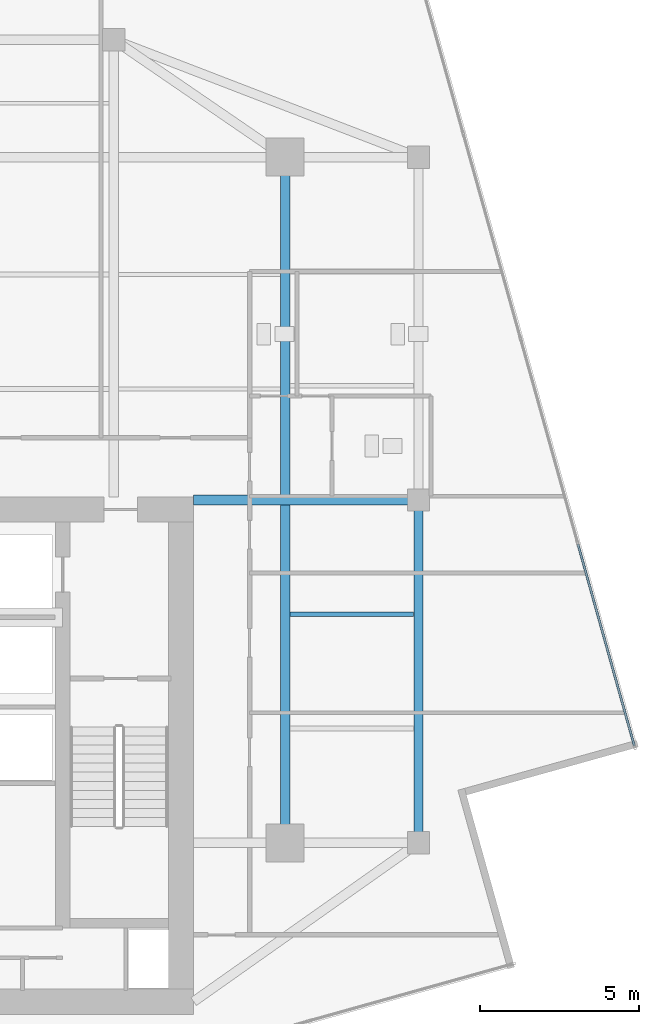
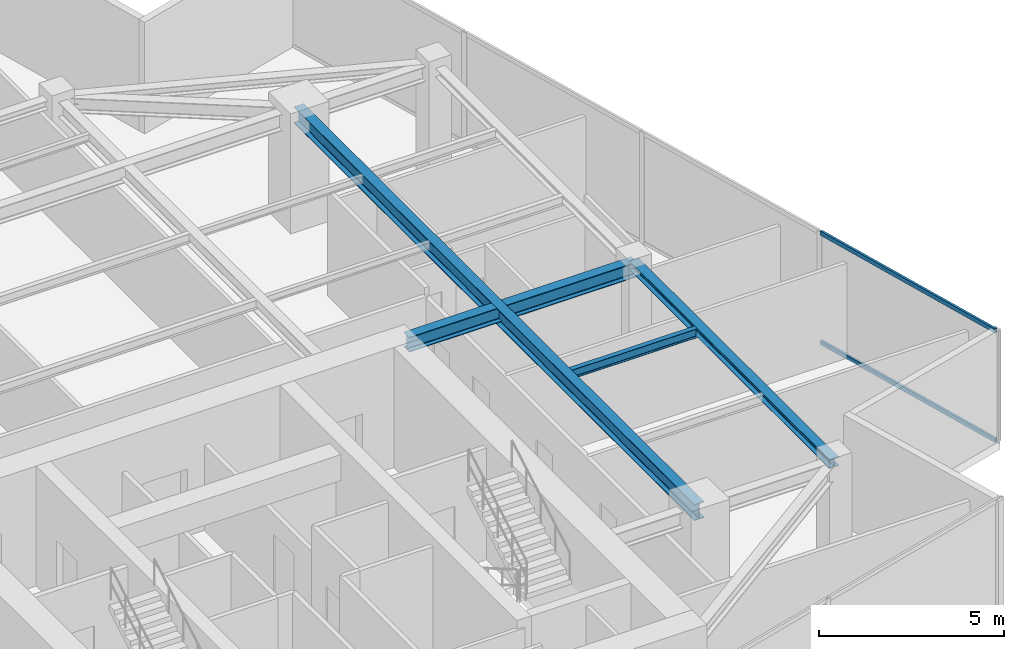
# One storey, part 10 of 21: 4 beams, 2 members, 1 element without a shape of its own.
"""IFC4 building model written with IfcOpenShell, lengths in metres."""

import ifcopenshell
import ifcopenshell.guid

model = None  # the IFC model being written
_history = None  # IfcOwnerHistory: only IFC2X3 demands one
_inside = {}  # id of a spatial element -> (the spatial element, [elements in it])
_under = {}  # id of a project, library or spatial element -> (it, [spatial elements below it])
_declared = {}  # id of a project -> (the project, [libraries it declares])
_typed = {}  # id of a type object -> (the type object, [elements of that type])
_made_of = {}  # id of a material, layer set ... -> (it, [elements and type objects made of it])


def new_model(schema):
    """Start an empty IFC model of exactly this schema.

    Asked for "IFC4X3", IfcOpenShell would pick the latest addendum, in which some entities
    have other attributes; the version numbers below select the first issue.
    IFC2X3 requires an IfcOwnerHistory on every rooted entity: one is made here for all.
    """
    global model, _history
    if schema == "IFC4X3":
        model = ifcopenshell.file(schema_version=(4, 3, 0, 0))
    else:
        model = ifcopenshell.file(schema=schema)
    _inside.clear()
    _under.clear()
    _declared.clear()
    _typed.clear()
    _made_of.clear()
    _history = None
    if model.schema == "IFC2X3":
        org = make("IfcOrganization", Name="unknown")
        user = make(
            "IfcPersonAndOrganization",
            ThePerson=make("IfcPerson", FamilyName="unknown"),
            TheOrganization=org,
        )
        app = make(
            "IfcApplication",
            ApplicationDeveloper=org,
            Version="unknown",
            ApplicationFullName="unknown",
            ApplicationIdentifier="unknown",
        )
        _history = make(
            "IfcOwnerHistory",
            OwningUser=user,
            OwningApplication=app,
            ChangeAction="ADDED",
            CreationDate=0,
        )
    return model


def make(cls, **values):
    """One entity of the class cls with the attributes given. An attribute that is None is left unset."""
    return model.create_entity(
        cls, **{name: value for name, value in values.items() if value is not None}
    )


def rooted(cls, **values):
    """An entity with a GlobalId (a new one), such as an element, a storey or a relation."""
    return make(cls, GlobalId=ifcopenshell.guid.new(), OwnerHistory=_history, **values)


def si_unit(unit_type, name, prefix=None):
    """IfcSIUnit, for example si_unit("LENGTHUNIT", "METRE", prefix="MILLI")."""
    return make("IfcSIUnit", UnitType=unit_type, Prefix=prefix, Name=name)


def assignment(units):
    """IfcUnitAssignment: the units of a project."""
    return None if units is None else make("IfcUnitAssignment", Units=units)


def point(xyz):
    """IfcCartesianPoint."""
    return None if xyz is None else make("IfcCartesianPoint", Coordinates=xyz)


def direction(xyz):
    """IfcDirection."""
    return None if xyz is None else make("IfcDirection", DirectionRatios=xyz)


def frame(location, z_axis=None, x_axis=None):
    """IfcAxis2Placement3D, a coordinate frame: its origin and axes. An axis left out is left unset."""
    return make(
        "IfcAxis2Placement3D",
        Location=point(location),
        Axis=direction(z_axis),
        RefDirection=direction(x_axis),
    )


def frame_2d(location, x_axis=None):
    """IfcAxis2Placement2D, a coordinate frame in the plane: its origin and x axis."""
    return make(
        "IfcAxis2Placement2D", Location=point(location), RefDirection=direction(x_axis)
    )


def origin():
    """The frame at (0, 0, 0) with its axes left unset."""
    return frame((0.0, 0.0, 0.0))


def origin_2d():
    """The frame at (0, 0) in the plane with its x axis left unset."""
    return frame_2d((0.0, 0.0))


def place(relative_to, where):
    """IfcLocalPlacement: puts the frame where relative to a parent placement (None: the world)."""
    return make(
        "IfcLocalPlacement", PlacementRelTo=relative_to, RelativePlacement=where
    )


def context(
    kind, dimensions, precision=None, world=None, true_north=None, identifier=None
):
    """IfcGeometricRepresentationContext, for example the 3D "Model" context."""
    return make(
        "IfcGeometricRepresentationContext",
        ContextIdentifier=identifier,
        ContextType=kind,
        CoordinateSpaceDimension=dimensions,
        Precision=precision,
        WorldCoordinateSystem=world,
        TrueNorth=true_north,
    )


def subcontext(parent, identifier, kind, view, scale=None):
    """IfcGeometricRepresentationSubContext, for example "Body" below "Model"."""
    return make(
        "IfcGeometricRepresentationSubContext",
        ContextIdentifier=identifier,
        ContextType=kind,
        ParentContext=parent,
        TargetScale=scale,
        TargetView=view,
    )


def project(units=None, contexts=None):
    """IfcProject with its units and contexts."""
    return rooted(
        "IfcProject",
        Name="project",
        RepresentationContexts=contexts,
        UnitsInContext=assignment(units),
    )


def spatial(cls, under=None, at=None, **own):
    """A site, building, storey or space (cls), placed at a placement, below another one or the project."""
    s = rooted(cls, ObjectPlacement=at, **own)
    if under is not None:
        _under.setdefault(under.id(), (under, []))[1].append(s)
    return s


def profile(cls, at=None, kind="AREA", **sizes):
    """A parametric profile (cls). Its sizes go by their IFC names, for example OverallWidth=200.0."""
    return make(cls, ProfileType=kind, Position=at, **sizes)


def hollow_rectangle(**sizes):
    """IfcRectangleHollowProfileDef."""
    return profile("IfcRectangleHollowProfileDef", **sizes)


def i_section(**sizes):
    """IfcIShapeProfileDef."""
    return profile("IfcIShapeProfileDef", **sizes)


def extrude(swept, where, along, depth):
    """IfcExtrudedAreaSolid: the profile swept, set in the frame where, extruded along a direction by depth."""
    return make(
        "IfcExtrudedAreaSolid",
        SweptArea=swept,
        Position=where,
        ExtrudedDirection=direction(along),
        Depth=depth,
    )


def shape(context_of_items, identifier, shape_type, items):
    """IfcShapeRepresentation: the items that make up one representation, for example the "Body"."""
    return make(
        "IfcShapeRepresentation",
        ContextOfItems=context_of_items,
        RepresentationIdentifier=identifier,
        RepresentationType=shape_type,
        Items=items,
    )


def source(mapping_origin, context_of_items, identifier, shape_type, items):
    """IfcRepresentationMap: a shape defined once, which mapped items show again and again."""
    return make(
        "IfcRepresentationMap",
        MappingOrigin=mapping_origin,
        MappedRepresentation=shape(context_of_items, identifier, shape_type, items),
    )


def transform(
    local_origin,
    x_axis=None,
    y_axis=None,
    z_axis=None,
    scale=None,
    scale2=None,
    scale3=None,
    uniform=True,
):
    """IfcCartesianTransformationOperator3D, or its non-uniform kind. x_axis, y_axis, z_axis: its Axis1, 2, 3."""
    if uniform:
        return make(
            "IfcCartesianTransformationOperator3D",
            Axis1=direction(x_axis),
            Axis2=direction(y_axis),
            LocalOrigin=point(local_origin),
            Scale=scale,
            Axis3=direction(z_axis),
        )
    return make(
        "IfcCartesianTransformationOperator3DnonUniform",
        Axis1=direction(x_axis),
        Axis2=direction(y_axis),
        LocalOrigin=point(local_origin),
        Scale=scale,
        Axis3=direction(z_axis),
        Scale2=scale2,
        Scale3=scale3,
    )


def mapped(mapping_source, mapping_target):
    """IfcMappedItem: shows the shape of a source again, moved by a transform."""
    return make(
        "IfcMappedItem", MappingSource=mapping_source, MappingTarget=mapping_target
    )


def material(Name=None, Category=None):
    """IfcMaterial."""
    return make("IfcMaterial", Name=Name, Category=Category)


def material_profile(
    of_material, cross_section, Name=None, Category=None, Priority=None
):
    """IfcMaterialProfile: a cross section and its material."""
    return make(
        "IfcMaterialProfile",
        Name=Name,
        Material=of_material,
        Profile=cross_section,
        Priority=Priority,
        Category=Category,
    )


def profile_set(profiles, Name=None, composite=None):
    """IfcMaterialProfileSet."""
    return make(
        "IfcMaterialProfileSet",
        Name=Name,
        MaterialProfiles=profiles,
        CompositeProfile=composite,
    )


def made_of(thing, what):
    """Note that an element or type object is made of a material, layer set ...; save() writes the relation."""
    if what is not None:
        _made_of.setdefault(what.id(), (what, []))[1].append(thing)
    return thing


def type_object(cls, material=None, **own):
    """A type object (cls), such as IfcWallType, which elements share."""
    return made_of(rooted(cls, **own), material)


def type_shapes(of_type, sources):
    """Give a type object the sources (RepresentationMaps) that its elements show as mapped items."""
    of_type.RepresentationMaps = sources


def element(
    cls,
    number,
    at=None,
    inside=None,
    cuts=None,
    type_object=None,
    material=None,
    context=None,
    identifier="Body",
    shape_type=None,
    held_by="IfcProductDefinitionShape",
    body=None,
    shapes=None,
    **own,
):
    """One element of the class cls, such as IfcWall. Its Tag is "e" and its number.

    at: its placement. inside: the storey or other place that contains it. cuts: it is an
    opening in that element (IfcRelVoidsElement). A single representation is given by context,
    identifier, shape_type and body (its items); several are given by shapes. held_by: the class
    of the entity that holds the representations. save() writes the other relations.
    """
    e = rooted(cls, Tag="e%d" % number, ObjectPlacement=at, **own)
    if body is not None:
        shapes = [shape(context, identifier, shape_type, body)]
    if shapes is not None:
        e.Representation = make(held_by, Representations=shapes)
    if inside is not None:
        _inside.setdefault(inside.id(), (inside, []))[1].append(e)
    if cuts is not None:
        rooted(
            "IfcRelVoidsElement", RelatingBuildingElement=cuts, RelatedOpeningElement=e
        )
    if type_object is not None:
        _typed.setdefault(type_object.id(), (type_object, []))[1].append(e)
    return made_of(e, material)


def aggregate(whole, parts):
    """IfcRelAggregates: a whole, such as a stair, and the parts it consists of."""
    return rooted("IfcRelAggregates", RelatingObject=whole, RelatedObjects=parts)


def save(model, path):
    """Write the relations noted so far, then the file.

    IfcRelAggregates (storeys below a building ...), IfcRelContainedInSpatialStructure (elements
    in a storey), IfcRelDefinesByType, IfcRelAssociatesMaterial and IfcRelDeclares: one each for
    every whole, place, type object, material and project.
    """
    for whole, parts in _under.values():
        aggregate(whole, parts)
    for where, things in _inside.values():
        rooted(
            "IfcRelContainedInSpatialStructure",
            RelatedElements=things,
            RelatingStructure=where,
        )
    for kind, things in _typed.values():
        rooted("IfcRelDefinesByType", RelatedObjects=things, RelatingType=kind)
    for what, things in _made_of.values():
        rooted("IfcRelAssociatesMaterial", RelatedObjects=things, RelatingMaterial=what)
    for by, libraries in _declared.values():
        rooted("IfcRelDeclares", RelatingContext=by, RelatedDefinitions=libraries)
    model.write(path)


model = new_model("IFC4")

# Units and contexts
model_context = context("Model", 3, precision=1e-05, world=origin(), true_north=direction((0.0, 1.0)))
body_context = subcontext(model_context, "Body", "Model", "MODEL_VIEW")
ifc_project = project(units=[si_unit("LENGTHUNIT", "METRE"), si_unit("AREAUNIT", "SQUARE_METRE"), si_unit("VOLUMEUNIT", "CUBIC_METRE"), si_unit("PLANEANGLEUNIT", "RADIAN"), si_unit("MASSUNIT", "GRAM", prefix="KILO")], contexts=[model_context])

# Site, building, storey
site_placement = place(None, origin())
site = spatial("IfcSite", under=ifc_project, at=site_placement, CompositionType="ELEMENT")
building_placement = place(site_placement, origin())
building = spatial("IfcBuilding", under=site, at=building_placement, Name="Krantzveldt Concourse Tower", CompositionType="ELEMENT")
storey_placement = place(building_placement, frame((0.0, 0.0, 347.449951171875)))
storey = spatial("IfcBuildingStorey", under=building, at=storey_placement, Name="L85", CompositionType="ELEMENT", Elevation=347.449951171875)

# Beams
ifc_material_1 = material(Name="Steel S355JR", Category="steel")
ifc_material_profile_1 = material_profile(ifc_material_1, i_section(OverallWidth=0.300048828125, OverallDepth=0.489990234375, WebThickness=0.011962890625, FlangeThickness=0.02294921875, FilletRadius=0.027099609375, at=origin_2d()), Name="Steel S355JR", Category="steel")
ifc_profile_set_1 = profile_set([ifc_material_profile_1], Name="Steel S355JR - HEA 500")
beam_type_1 = type_object("IfcBeamType", Name="BM-B-HEA500", PredefinedType="BEAM", material=ifc_profile_set_1)
shared_shape_1 = source(origin(), body_context, "Body", "SweptSolid", [
    extrude(i_section(OverallWidth=0.300048828125, OverallDepth=0.489990234375, WebThickness=0.011962890625, FlangeThickness=0.02294921875, FilletRadius=0.027099609375, at=origin_2d()), origin(), (0.0, 0.0, 1.0), 7.080078125),
])
type_shapes(beam_type_1, [shared_shape_1])
beam_1_placement = place(storey_placement, frame((43.919921875, 26.699951171875, 3.425048828125), z_axis=(1.0, 0.0, 0.0), x_axis=(0.0, 1.0, 0.0)))
element("IfcBeam", 1, at=beam_1_placement, inside=storey, type_object=beam_type_1, Name="L85 Tower Girder BG-CE2", PredefinedType="BEAM", context=body_context, shape_type="MappedRepresentation", body=[
    mapped(shared_shape_1, transform((0.0, 0.0, 0.0), x_axis=(1.0, 0.0, 0.0), y_axis=(0.0, 1.0, 0.0), z_axis=(0.0, 0.0, 1.0), scale=1.0)),
])
ifc_material_profile_2 = material_profile(ifc_material_1, i_section(OverallWidth=0.300048828125, OverallDepth=0.5400390625, WebThickness=0.012451171875, FlangeThickness=0.02392578125, FilletRadius=0.027099609375, at=origin_2d()), Name="Steel S355JR", Category="steel")
ifc_profile_set_2 = profile_set([ifc_material_profile_2], Name="Steel S355JR - HEA 550")
beam_type_2 = type_object("IfcBeamType", Name="BM-B-HEA550", PredefinedType="BEAM", material=ifc_profile_set_2)
shared_shape_2 = source(origin(), body_context, "Body", "SweptSolid", [
    extrude(i_section(OverallWidth=0.300048828125, OverallDepth=0.5400390625, WebThickness=0.012451171875, FlangeThickness=0.02392578125, FilletRadius=0.027099609375, at=origin_2d()), origin(), (0.0, 0.0, 1.0), 21.60009765625),
])
type_shapes(beam_type_2, [shared_shape_2])
beam_2_placement = place(storey_placement, frame((46.800048828125, 15.89990234375, 3.400146484375), z_axis=(0.0, 1.0, 0.0), x_axis=(-1.0, 0.0, 0.0)))
element("IfcBeam", 2, at=beam_2_placement, inside=storey, type_object=beam_type_2, Name="L85 Tower Girder BG-ME", PredefinedType="BEAM", context=body_context, shape_type="MappedRepresentation", body=[
    mapped(shared_shape_2, transform((0.0, 0.0, 0.0), x_axis=(1.0, 0.0, 0.0), y_axis=(0.0, 1.0, 0.0), z_axis=(0.0, 0.0, 1.0), scale=1.0)),
])
ifc_material_profile_3 = material_profile(ifc_material_1, i_section(OverallWidth=0.2900390625, OverallDepth=0.2900390625, WebThickness=0.008544921875, FlangeThickness=0.013916015625, FilletRadius=0.027099609375, at=origin_2d()), Name="Steel S355JR", Category="steel")
ifc_profile_set_3 = profile_set([ifc_material_profile_3], Name="Steel S355JR - HEA 300")
beam_type_3 = type_object("IfcBeamType", Name="BM-SP-HEA300", PredefinedType="SPANDREL", material=ifc_profile_set_3)
shared_shape_3 = source(origin(), body_context, "Body", "SweptSolid", [
    extrude(i_section(OverallWidth=0.2900390625, OverallDepth=0.2900390625, WebThickness=0.008544921875, FlangeThickness=0.013916015625, FilletRadius=0.027099609375, at=origin_2d()), origin(), (0.0, 0.0, 1.0), 10.800048828125),
])
type_shapes(beam_type_3, [shared_shape_3])
beam_3_placement = place(storey_placement, frame((51.0, 26.699951171875, 3.525146484375), z_axis=(0.0, -1.0, 0.0), x_axis=(1.0, 0.0, 0.0)))
element("IfcBeam", 3, at=beam_3_placement, inside=storey, type_object=beam_type_3, Name="L85 Tower Girder SP-R07", PredefinedType="SPANDREL", context=body_context, shape_type="MappedRepresentation", body=[
    mapped(shared_shape_3, transform((0.0, 0.0, 0.0), x_axis=(1.0, 0.0, 0.0), y_axis=(0.0, 1.0, 0.0), z_axis=(0.0, 0.0, 1.0), scale=1.0)),
])
ifc_material_profile_4 = material_profile(ifc_material_1, i_section(OverallWidth=0.14990234375, OverallDepth=0.300048828125, WebThickness=0.007080078125, FlangeThickness=0.0107421875, FilletRadius=0.014892578125, at=origin_2d()), Name="Steel S355JR", Category="steel")
ifc_profile_set_4 = profile_set([ifc_material_profile_4], Name="Steel S355JR - IPE 300")
beam_type_4 = type_object("IfcBeamType", Name="BM-J-IPE300", PredefinedType="JOIST", material=ifc_profile_set_4)
shared_shape_4 = source(origin(), body_context, "Body", "SweptSolid", [
    extrude(i_section(OverallWidth=0.14990234375, OverallDepth=0.300048828125, WebThickness=0.007080078125, FlangeThickness=0.0107421875, FilletRadius=0.014892578125, at=origin_2d()), origin(), (0.0, 0.0, 1.0), 3.900146484375),
])
type_shapes(beam_type_4, [shared_shape_4])
beam_4_placement = place(storey_placement, frame((46.949951171875, 23.10009765625, 3.52001953125), z_axis=(1.0, 0.0, 0.0), x_axis=(0.0, 1.0, 0.0)))
element("IfcBeam", 4, at=beam_4_placement, inside=storey, type_object=beam_type_4, Name="L85 Secondary Floor Joist JE-2", PredefinedType="JOIST", context=body_context, shape_type="MappedRepresentation", body=[
    mapped(shared_shape_4, transform((0.0, 0.0, 0.0), x_axis=(1.0, 0.0, 0.0), y_axis=(0.0, 1.0, 0.0), z_axis=(0.0, 0.0, 1.0), scale=1.0)),
])

# Curtain wall, members
ifc_material_2 = material(Name="Anodised aluminium 6063-T6", Category="aluminium")
curtain_wall_type = type_object("IfcCurtainWallType", Name="CW4", PredefinedType="USERDEFINED", material=ifc_material_2)
curtain_wall_placement = place(storey_placement, origin())
curtain_wall = element("IfcCurtainWall", 5, at=curtain_wall_placement, inside=storey, type_object=curtain_wall_type, Name="CW-L85-F10", ObjectType="UNITISED CURTAIN WALL", PredefinedType="USERDEFINED")
ifc_material_profile_5 = material_profile(ifc_material_2, hollow_rectangle(XDim=0.070068359375, YDim=0.139892578125, WallThickness=0.0048828125, at=origin_2d()), Name="Anodised aluminium 6063-T6", Category="aluminium")
ifc_profile_set_5 = profile_set([ifc_material_profile_5], Name="Anodised aluminium 6063-T6 - ALU-TRAN 140x70x5")
member_type = type_object("IfcMemberType", Name="CW-TRN-150", PredefinedType="USERDEFINED", material=ifc_profile_set_5)
shared_shape_5 = source(origin(), body_context, "Body", "SweptSolid", [
    extrude(hollow_rectangle(XDim=0.070068359375, YDim=0.139892578125, WallThickness=0.0048828125, at=origin_2d()), origin(), (0.0, 0.0, 1.0), 6.594970703125),
])
type_shapes(member_type, [shared_shape_5])
member_1_placement = place(storey_placement, frame((57.801513671875, 18.955810546875, 0.03515625), z_axis=(-0.269348428694, 0.963042794459, 0.0), x_axis=(-0.963042794459, -0.269348428694, 0.0)))
member_1 = element("IfcMember", 6, at=member_1_placement, type_object=member_type, Name="CW-Z56 transom 1.1", ObjectType="TRANSOM", PredefinedType="USERDEFINED", context=body_context, shape_type="MappedRepresentation", body=[
    mapped(shared_shape_5, transform((0.0, 0.0, 0.0), x_axis=(1.0, 0.0, 0.0), y_axis=(0.0, 1.0, 0.0), z_axis=(0.0, 0.0, 1.0), scale=1.0)),
])
member_2_placement = place(storey_placement, frame((57.801513671875, 18.955810546875, 3.635009765625), z_axis=(-0.269348428694, 0.963042794459, 0.0), x_axis=(-0.963042794459, -0.269348428694, 0.0)))
member_2 = element("IfcMember", 7, at=member_2_placement, type_object=member_type, Name="CW-Z56 transom 1.2", ObjectType="TRANSOM", PredefinedType="USERDEFINED", context=body_context, shape_type="MappedRepresentation", body=[
    mapped(shared_shape_5, transform((0.0, 0.0, 0.0), x_axis=(1.0, 0.0, 0.0), y_axis=(0.0, 1.0, 0.0), z_axis=(0.0, 0.0, 1.0), scale=1.0)),
])
aggregate(curtain_wall, [member_1, member_2])

save(model, "model.ifc")
